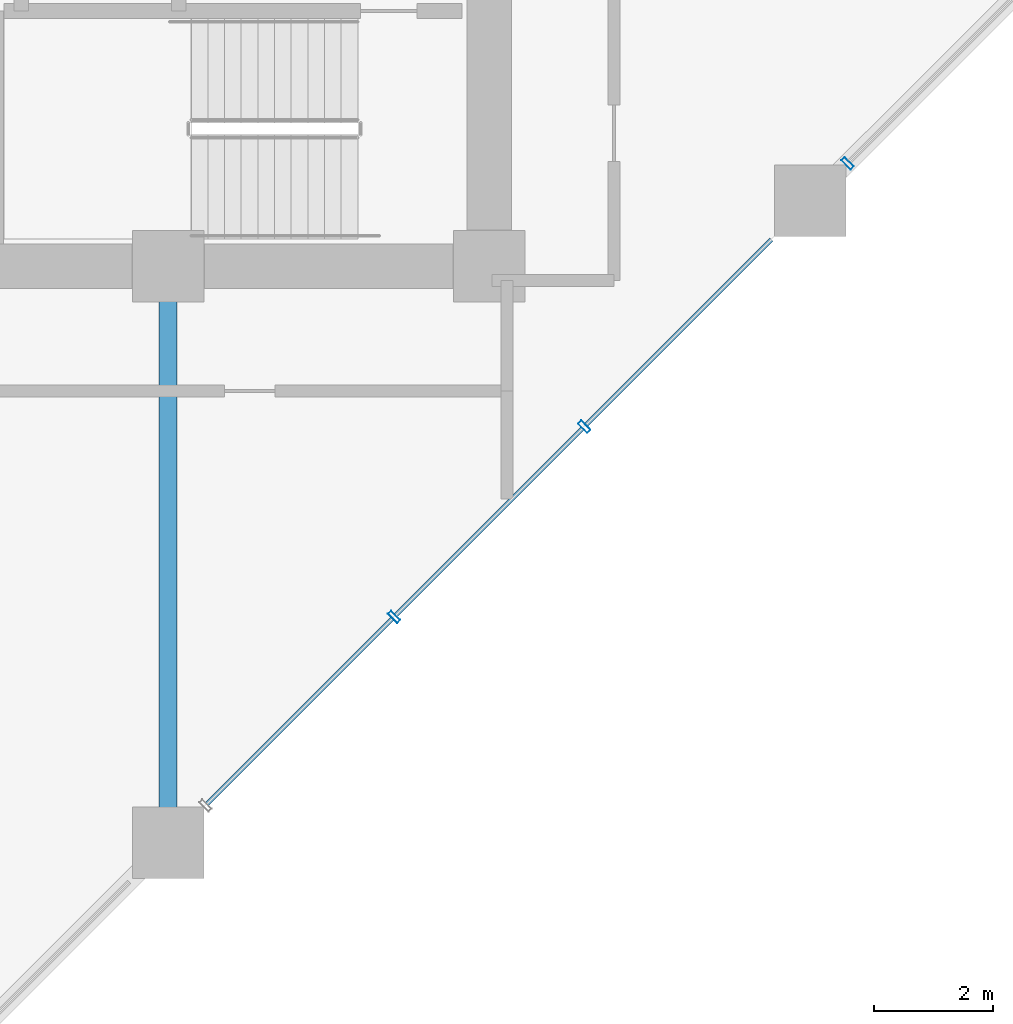
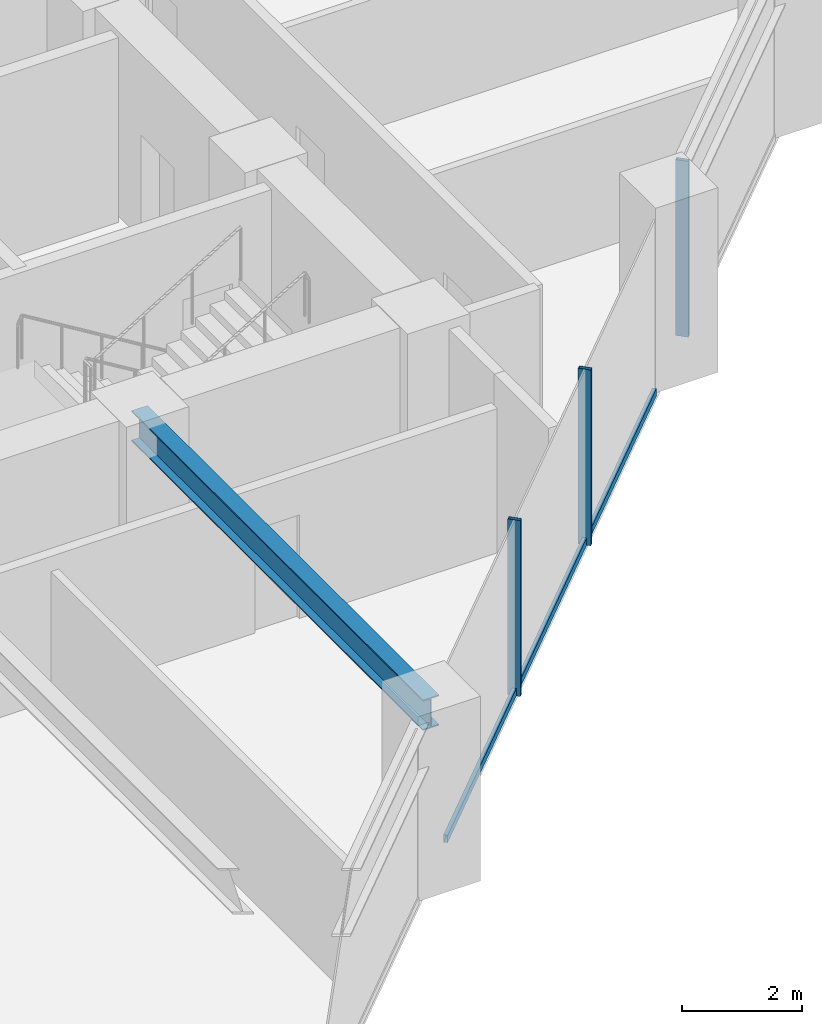
# One storey, part 7 of 26: 6 members, 1 beam, 1 element without a shape of its own.
"""IFC4 building model written with IfcOpenShell, lengths in metres."""

from ifc_helpers import new_model, si_unit, direction, frame, origin, origin_2d, place, context, subcontext, project, spatial, hollow_rectangle, i_section, extrude, material, layer, layer_set, material_profile, profile_set, type_object, element, aggregate, save


model = new_model("IFC4")

# Units and contexts
model_context = context("Model", 3, precision=1e-05, world=origin(), true_north=direction((0.0, 1.0)))
body_context = subcontext(model_context, "Body", "Model", "MODEL_VIEW")
ifc_project = project(units=[si_unit("LENGTHUNIT", "METRE"), si_unit("AREAUNIT", "SQUARE_METRE"), si_unit("VOLUMEUNIT", "CUBIC_METRE"), si_unit("PLANEANGLEUNIT", "RADIAN"), si_unit("MASSUNIT", "GRAM", prefix="KILO")], contexts=[model_context])

# Site, building, storey
site_placement = place(None, origin())
site = spatial("IfcSite", under=ifc_project, at=site_placement, CompositionType="ELEMENT")
building_placement = place(site_placement, origin())
building = spatial("IfcBuilding", under=site, at=building_placement, Name="Surkhivell Harbour Commons", CompositionType="ELEMENT")
storey_placement = place(building_placement, frame((0.0, 0.0, 71.25)))
storey = spatial("IfcBuildingStorey", under=building, at=storey_placement, Name="L18", CompositionType="ELEMENT", Elevation=71.25)

# Beam
ifc_material_1 = material(Name="Steel S355", Category="steel")
ifc_material_profile_1 = material_profile(ifc_material_1, i_section(OverallWidth=0.306884765625, OverallDepth=0.6201171875, WebThickness=0.01416015625, FlangeThickness=0.023681640625, at=origin_2d()), Name="UB610x305x179")
ifc_profile_set_1 = profile_set([ifc_material_profile_1], Name="Steel S355")
beam_type = type_object("IfcBeamType", Name="BM-GRD-610A", PredefinedType="BEAM", material=ifc_profile_set_1)
beam_placement = place(storey_placement, frame((5.39990234375, -20.5, 3.260009765625), z_axis=(0.0, 1.0, 0.0), x_axis=(-1.0, 0.0, 0.0)))
element("IfcBeam", 1, at=beam_placement, inside=storey, type_object=beam_type, Name="L18 Floor Girder (5.4,-20.5)", PredefinedType="BEAM", context=body_context, shape_type="SweptSolid", body=[
    extrude(i_section(OverallWidth=0.306884765625, OverallDepth=0.6201171875, WebThickness=0.01416015625, FlangeThickness=0.023681640625, at=origin_2d()), origin(), (0.0, 0.0, 1.0), 9.699951171875),
])

# Curtain wall, members
ifc_material_2 = material(Name="Anodised pale-metal aluminium and insulated glazing", Category="aluminium")
ifc_layer = layer(ifc_material_2, 0.219970703125)
ifc_layer_set = layer_set([ifc_layer], Name="Anodised pale-metal aluminium and insulated glazing")
curtain_wall_type = type_object("IfcCurtainWallType", Name="CW-SYS-Z1", PredefinedType="NOTDEFINED", material=ifc_layer_set)
curtain_wall_placement = place(storey_placement, origin())
curtain_wall = element("IfcCurtainWall", 2, at=curtain_wall_placement, inside=storey, type_object=curtain_wall_type, Name="L18 Curtain Wall CW-L18-E01", PredefinedType="NOTDEFINED")
ifc_material_3 = material(Name="Anodised pale-metal aluminium alloy 6063-T6", Category="aluminium")
ifc_material_profile_2 = material_profile(ifc_material_3, hollow_rectangle(XDim=0.074951171875, YDim=0.219970703125, WallThickness=0.00390625, at=origin_2d()), Name="ALU-MULL-75x220")
ifc_profile_set_2 = profile_set([ifc_material_profile_2], Name="Anodised pale-metal aluminium alloy 6063-T6")
member_type_1 = type_object("IfcMemberType", Name="CWM-220", PredefinedType="MULLION", material=ifc_profile_set_2)
member_1_placement = place(storey_placement, frame((9.20068359375, -16.699462890625, 0.0), z_axis=(0.0, 0.0, 1.0), x_axis=(0.707106781187, 0.707106781187, 0.0)))
member_1 = element("IfcMember", 3, at=member_1_placement, type_object=member_type_1, Name="CW-Z1 mullion 3", PredefinedType="MULLION", context=body_context, shape_type="SweptSolid", body=[
    extrude(hollow_rectangle(XDim=0.074951171875, YDim=0.219970703125, WallThickness=0.00390625, at=origin_2d()), origin(), (0.0, 0.0, 1.0), 3.570068359375),
])
member_2_placement = place(storey_placement, frame((12.3994140625, -13.50048828125, 0.0), z_axis=(0.0, 0.0, 1.0), x_axis=(0.707106781187, 0.707106781187, 0.0)))
member_2 = element("IfcMember", 4, at=member_2_placement, type_object=member_type_1, Name="CW-Z1 mullion 4", PredefinedType="MULLION", context=body_context, shape_type="SweptSolid", body=[
    extrude(hollow_rectangle(XDim=0.074951171875, YDim=0.219970703125, WallThickness=0.00390625, at=origin_2d()), origin(), (0.0, 0.0, 1.0), 3.570068359375),
])
member_3_placement = place(storey_placement, frame((16.828369140625, -9.07177734375, 0.0), z_axis=(0.0, 0.0, 1.0), x_axis=(0.707106781187, 0.707106781187, 0.0)))
member_3 = element("IfcMember", 5, at=member_3_placement, type_object=member_type_1, Name="CW-Z1 mullion 5", PredefinedType="MULLION", context=body_context, shape_type="SweptSolid", body=[
    extrude(hollow_rectangle(XDim=0.074951171875, YDim=0.219970703125, WallThickness=0.00390625, at=origin_2d()), origin(), (0.0, 0.0, 1.0), 3.570068359375),
])
ifc_material_profile_3 = material_profile(ifc_material_3, hollow_rectangle(XDim=0.074951171875, YDim=0.14990234375, WallThickness=0.00341796875, at=origin_2d()), Name="ALU-TRAN-75x150")
ifc_profile_set_3 = profile_set([ifc_material_profile_3], Name="Anodised pale-metal aluminium alloy 6063-T6")
member_type_2 = type_object("IfcMemberType", Name="CWT-150", PredefinedType="USERDEFINED", material=ifc_profile_set_3)
member_4_placement = place(storey_placement, frame((6.0546875, -19.84521484375, 0.074951171875), z_axis=(0.707106781187, 0.707106781187, 0.0), x_axis=(-0.707106781187, 0.707106781187, 0.0)))
member_4 = element("IfcMember", 6, at=member_4_placement, type_object=member_type_2, Name="CW-Z1 transom 2.1", ObjectType="TRANSOM", PredefinedType="USERDEFINED", context=body_context, shape_type="SweptSolid", body=[
    extrude(hollow_rectangle(XDim=0.074951171875, YDim=0.14990234375, WallThickness=0.00341796875, at=origin_2d()), origin(), (0.0, 0.0, 1.0), 4.411376953125),
])
member_5_placement = place(storey_placement, frame((9.22705078125, -16.6728515625, 0.074951171875), z_axis=(0.707106781187, 0.707106781187, 0.0), x_axis=(-0.707106781187, 0.707106781187, 0.0)))
member_5 = element("IfcMember", 7, at=member_5_placement, type_object=member_type_2, Name="CW-Z1 transom 3.1", ObjectType="TRANSOM", PredefinedType="USERDEFINED", context=body_context, shape_type="SweptSolid", body=[
    extrude(hollow_rectangle(XDim=0.074951171875, YDim=0.14990234375, WallThickness=0.00341796875, at=origin_2d()), origin(), (0.0, 0.0, 1.0), 4.44873046875),
])
member_6_placement = place(storey_placement, frame((12.426025390625, -13.47412109375, 0.074951171875), z_axis=(0.707079108482, 0.707134452808, 0.0), x_axis=(-0.707134452808, 0.707079108482, 0.0)))
member_6 = element("IfcMember", 8, at=member_6_placement, type_object=member_type_2, Name="CW-Z1 transom 4.1", ObjectType="TRANSOM", PredefinedType="USERDEFINED", context=body_context, shape_type="SweptSolid", body=[
    extrude(hollow_rectangle(XDim=0.074951171875, YDim=0.14990234375, WallThickness=0.00341796875, at=origin_2d()), origin(), (0.0, 0.0, 1.0), 4.411376953125),
])
aggregate(curtain_wall, [member_1, member_2, member_4, member_5, member_6, member_3])

save(model, "model.ifc")
